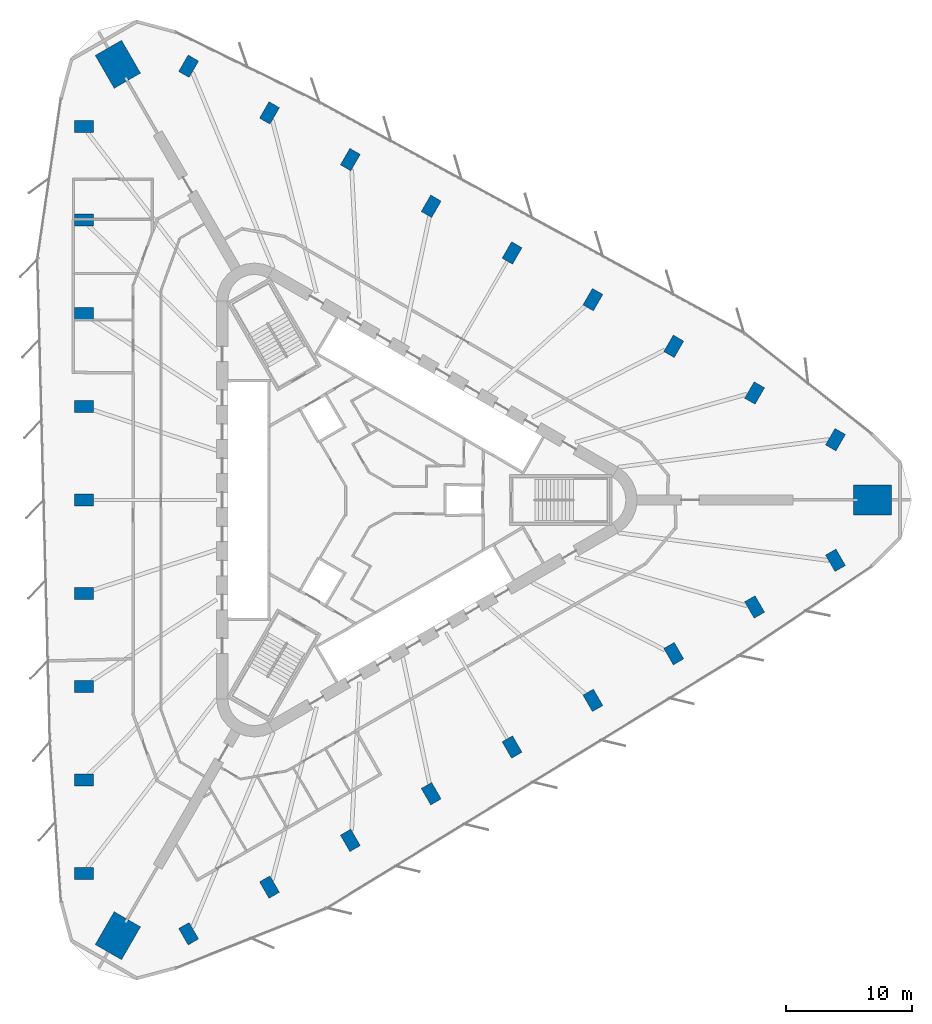
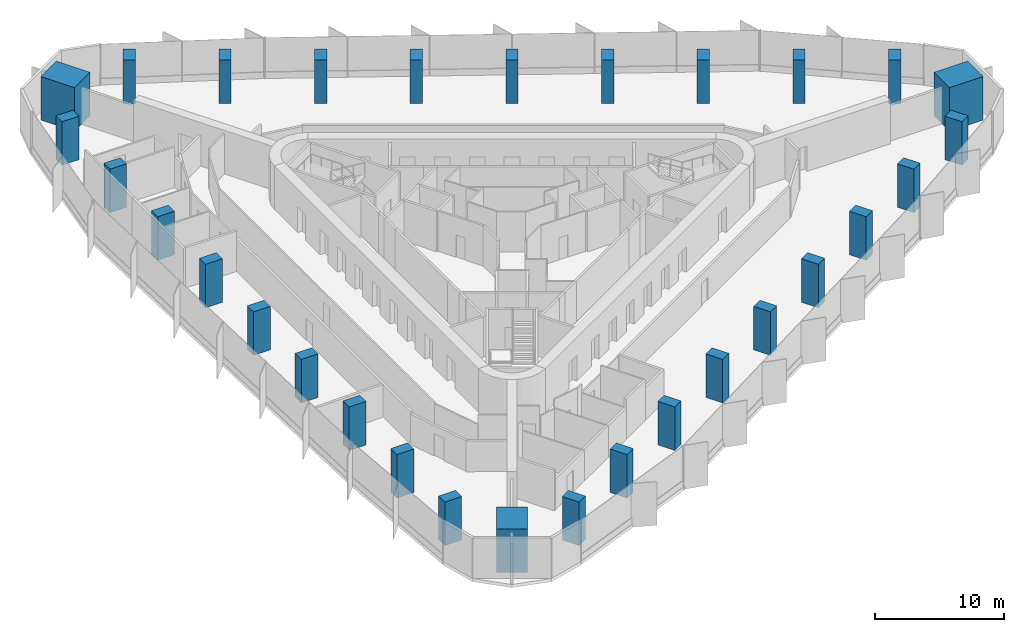
# One storey, part 1 of 14: 30 columns.
"""IFC4 building model written with IfcOpenShell, lengths in metres."""

from ifc_helpers import new_model, si_unit, direction, frame, origin, origin_2d, place, context, subcontext, project, spatial, rectangle, extrude, material, material_profile, profile_set, type_object, element, save


model = new_model("IFC4")

# Units and contexts
model_context = context("Model", 3, precision=1e-05, world=origin(), true_north=direction((0.0, 1.0)))
body_context = subcontext(model_context, "Body", "Model", "MODEL_VIEW")
ifc_project = project(units=[si_unit("LENGTHUNIT", "METRE"), si_unit("AREAUNIT", "SQUARE_METRE"), si_unit("VOLUMEUNIT", "CUBIC_METRE"), si_unit("PLANEANGLEUNIT", "RADIAN"), si_unit("MASSUNIT", "GRAM", prefix="KILO")], contexts=[model_context])

# Site, building, storey
site_placement = place(None, origin())
site = spatial("IfcSite", under=ifc_project, at=site_placement, CompositionType="ELEMENT")
building_placement = place(site_placement, origin())
building = spatial("IfcBuilding", under=site, at=building_placement, Name="Tanit Gate Tower", CompositionType="ELEMENT")
storey_placement = place(building_placement, frame((0.0, 0.0, 143.89990234375)))
storey = spatial("IfcBuildingStorey", under=building, at=storey_placement, Name="L31", CompositionType="ELEMENT", Elevation=143.89990234375)

# Columns
ifc_material_1 = material(Name="Concrete C70/85", Category="concrete")
ifc_material_profile_1 = material_profile(ifc_material_1, rectangle(XDim=3.0, YDim=2.39990234375, at=origin_2d()), Name="RC 3000x2400")
ifc_profile_set_1 = profile_set([ifc_material_profile_1], Name="Concrete C70/85")
column_type_1 = type_object("IfcColumnType", Name="MEGA COLUMN 3000x2400 C70/85", PredefinedType="COLUMN", material=ifc_profile_set_1)
for number, where, z_axis, x_axis, name in (
    (1, (39.830078125, 0.0, 0.0), (0.0, 0.0, 1.0), (1.0, 0.0, 0.0), "MEGA COLUMN"),
    (2, (-19.9150390625, 34.493896484375, 0.0), (0.0, 0.0, 1.0), (-0.5, 0.866025403784, 0.0), "MEGA COLUMN"),
    (3, (-19.9150390625, -34.493896484375, 0.0), (0.0, 0.0, 1.0), (-0.5, -0.866025403784, 0.0), "MEGA COLUMN"),
):
    element("IfcColumn", number, at=place(storey_placement, frame(where, z_axis=z_axis, x_axis=x_axis)), inside=storey, type_object=column_type_1, Name=name, PredefinedType="COLUMN", context=body_context, shape_type="SweptSolid", body=[
        extrude(rectangle(XDim=3.0, YDim=2.39990234375, at=origin_2d()), origin(), (0.0, 0.0, 1.0), 4.10009765625),
    ])
ifc_material_2 = material(Name="Concrete C60/75", Category="concrete")
ifc_material_profile_2 = material_profile(ifc_material_2, rectangle(XDim=1.5, YDim=0.949951171875, at=origin_2d()), Name="RC 1500x950")
ifc_profile_set_2 = profile_set([ifc_material_profile_2], Name="Concrete C60/75")
column_type_2 = type_object("IfcColumnType", Name="PERIMETER COLUMN 1500x950 C60/75", PredefinedType="COLUMN", material=ifc_profile_set_2)
for number, where, z_axis, x_axis, name in (
    (4, (-22.58251953125, 29.56591796875, 0.0), (0.0, 0.0, 1.0), (-1.0, 0.0, 0.0), "PERIMETER COLUMN"),
    (5, (-22.58251953125, 22.17431640625, 0.0), (0.0, 0.0, 1.0), (-1.0, 0.0, 0.0), "PERIMETER COLUMN"),
    (6, (-22.58251953125, 14.782958984375, 0.0), (0.0, 0.0, 1.0), (-1.0, 0.0, 0.0), "PERIMETER COLUMN"),
    (7, (-22.58251953125, 7.391357421875, 0.0), (0.0, 0.0, 1.0), (-1.0, 0.0, 0.0), "PERIMETER COLUMN"),
    (8, (-22.58251953125, 0.0, 0.0), (0.0, 0.0, 1.0), (-1.0, 0.0, 0.0), "PERIMETER COLUMN"),
    (9, (-22.58251953125, -7.391357421875, 0.0), (0.0, 0.0, 1.0), (-1.0, 0.0, 0.0), "PERIMETER COLUMN"),
    (10, (-22.58251953125, -14.782958984375, 0.0), (0.0, 0.0, 1.0), (-1.0, 0.0, 0.0), "PERIMETER COLUMN"),
    (11, (-22.58251953125, -22.17431640625, 0.0), (0.0, 0.0, 1.0), (-1.0, 0.0, 0.0), "PERIMETER COLUMN"),
    (12, (-22.58251953125, -29.56591796875, 0.0), (0.0, 0.0, 1.0), (-1.0, 0.0, 0.0), "PERIMETER COLUMN"),
    (13, (36.89599609375, 4.774169921875, 0.0), (0.0, 0.0, 1.0), (0.5, 0.866025403784, 0.0), "PERIMETER COLUMN"),
    (14, (30.494873046875, 8.4697265625, 0.0), (0.0, 0.0, 1.0), (0.5, 0.866025403784, 0.0), "PERIMETER COLUMN"),
    (15, (24.093505859375, 12.16552734375, 0.0), (0.0, 0.0, 1.0), (0.5, 0.866025403784, 0.0), "PERIMETER COLUMN"),
    (16, (17.6923828125, 15.861083984375, 0.0), (0.0, 0.0, 1.0), (0.5, 0.866025403784, 0.0), "PERIMETER COLUMN"),
    (17, (11.291259765625, 19.556884765625, 0.0), (0.0, 0.0, 1.0), (0.5, 0.866025403784, 0.0), "PERIMETER COLUMN"),
    (18, (4.889892578125, 23.252685546875, 0.0), (0.0, 0.0, 1.0), (0.5, 0.866025403784, 0.0), "PERIMETER COLUMN"),
    (19, (-1.510986328125, 26.948486328125, 0.0), (0.0, 0.0, 1.0), (0.5, 0.866025403784, 0.0), "PERIMETER COLUMN"),
    (20, (-7.912353515625, 30.64404296875, 0.0), (0.0, 0.0, 1.0), (0.5, 0.866025403784, 0.0), "PERIMETER COLUMN"),
    (21, (-14.3134765625, 34.33984375, 0.0), (0.0, 0.0, 1.0), (0.5, 0.866025403784, 0.0), "PERIMETER COLUMN"),
    (22, (-14.3134765625, -34.33984375, 0.0), (0.0, 0.0, 1.0), (0.5, -0.866025403784, 0.0), "PERIMETER COLUMN"),
    (23, (-7.912353515625, -30.64404296875, 0.0), (0.0, 0.0, 1.0), (0.5, -0.866025403784, 0.0), "PERIMETER COLUMN"),
    (24, (-1.510986328125, -26.948486328125, 0.0), (0.0, 0.0, 1.0), (0.5, -0.866025403784, 0.0), "PERIMETER COLUMN"),
    (25, (4.889892578125, -23.252685546875, 0.0), (0.0, 0.0, 1.0), (0.5, -0.866025403784, 0.0), "PERIMETER COLUMN"),
    (26, (11.291259765625, -19.556884765625, 0.0), (0.0, 0.0, 1.0), (0.5, -0.866025403784, 0.0), "PERIMETER COLUMN"),
    (27, (17.6923828125, -15.861083984375, 0.0), (0.0, 0.0, 1.0), (0.5, -0.866025403784, 0.0), "PERIMETER COLUMN"),
    (28, (24.093505859375, -12.16552734375, 0.0), (0.0, 0.0, 1.0), (0.5, -0.866025403784, 0.0), "PERIMETER COLUMN"),
    (29, (30.494873046875, -8.4697265625, 0.0), (0.0, 0.0, 1.0), (0.5, -0.866025403784, 0.0), "PERIMETER COLUMN"),
    (30, (36.89599609375, -4.774169921875, 0.0), (0.0, 0.0, 1.0), (0.5, -0.866025403784, 0.0), "PERIMETER COLUMN"),
):
    element("IfcColumn", number, at=place(storey_placement, frame(where, z_axis=z_axis, x_axis=x_axis)), inside=storey, type_object=column_type_2, Name=name, PredefinedType="COLUMN", context=body_context, shape_type="SweptSolid", body=[
        extrude(rectangle(XDim=1.5, YDim=0.949951171875, at=origin_2d()), origin(), (0.0, 0.0, 1.0), 4.10009765625),
    ])

save(model, "model.ifc")
